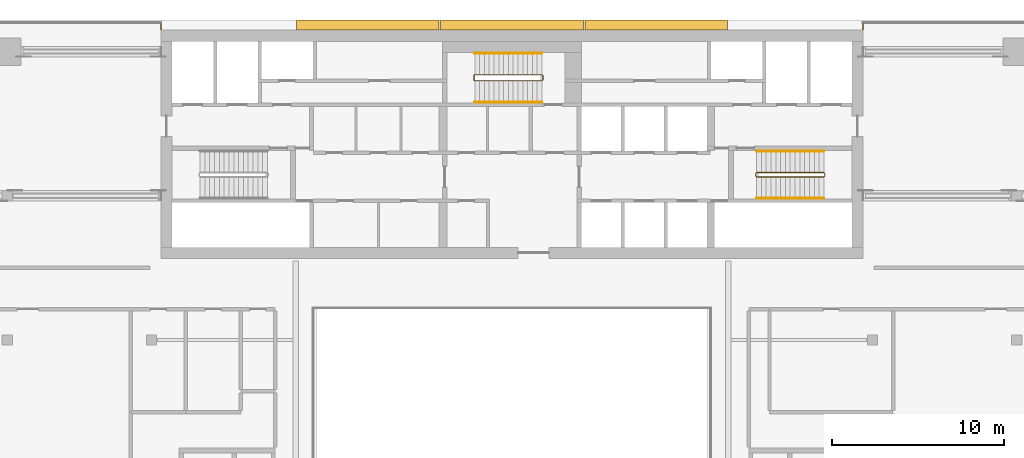
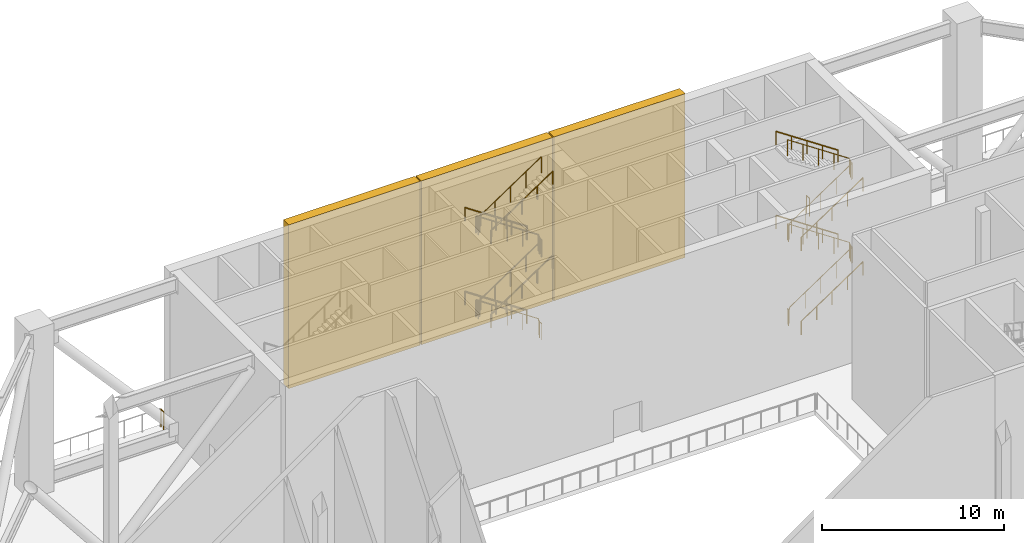
# One storey, part 18 of 19: 12 railings, 3 coverings.
"""IFC4 building model written with IfcOpenShell, lengths in metres."""

from ifc_helpers import new_model, si_unit, direction, frame, origin, origin_2d, place, context, subcontext, project, spatial, polyline, circle, outline, extrude, material, layer, layer_set, type_object, element, save


model = new_model("IFC4")

# Units and contexts
model_context = context("Model", 3, precision=1e-05, world=origin(), true_north=direction((0.0, 1.0)))
body_context = subcontext(model_context, "Body", "Model", "MODEL_VIEW")
ifc_project = project(units=[si_unit("LENGTHUNIT", "METRE"), si_unit("AREAUNIT", "SQUARE_METRE"), si_unit("VOLUMEUNIT", "CUBIC_METRE"), si_unit("PLANEANGLEUNIT", "RADIAN"), si_unit("MASSUNIT", "GRAM", prefix="KILO")], contexts=[model_context])

# Site, building, storey
site_placement = place(None, origin())
site = spatial("IfcSite", under=ifc_project, at=site_placement, CompositionType="ELEMENT")
building_placement = place(site_placement, origin())
building = spatial("IfcBuilding", under=site, at=building_placement, Name="Saffron Gate Tower", CompositionType="ELEMENT")
storey_placement = place(building_placement, frame((0.0, 0.0, 194.25)))
storey = spatial("IfcBuildingStorey", under=building, at=storey_placement, Name="L48", CompositionType="ELEMENT", Elevation=194.25)

# Railings
ifc_material_1 = material(Name="Stainless steel posts and toughened glass infill", Category="steel")
railing_type_1 = type_object("IfcRailingType", Name="BAL1 balustrade 1200", PredefinedType="BALUSTRADE", material=ifc_material_1)
for number, where, name in (
    (1, (67.14990234375, 75.39990234375, 0.0), "GUARD portal deck edge"),
    (2, (108.050048828125, 75.39990234375, 0.0), "GUARD portal deck edge"),
):
    element("IfcRailing", number, at=place(storey_placement, frame(where)), inside=storey, type_object=railing_type_1, Name=name, PredefinedType="BALUSTRADE", context=body_context, shape_type="SweptSolid", body=[
        extrude(circle(Radius=0.02392578125, at=origin_2d()), frame((0.0, 0.0, 1.17578125), z_axis=(0.0, -1.0, 0.0), x_axis=(1.0, 0.0, 0.0)), (0.0, 0.0, 1.0), 0.31982421875),
        extrude(circle(Radius=0.02099609375, at=origin_2d()), origin(), (0.0, 0.0, 1.0), 1.15185546875),
        extrude(circle(Radius=0.02099609375, at=origin_2d()), frame((0.0, -0.31982421875, 0.0)), (0.0, 0.0, 1.0), 1.15185546875),
    ])

# Coverings
ifc_material_2 = material(Name="Ceramic-printed bronze insulated panel")
ifc_layer = layer(ifc_material_2, 0.590087890625)
ifc_layer_set = layer_set([ifc_layer], Name="CLD4 ceramic-printed cladding panel 590")
covering_type = type_object("IfcCoveringType", Name="CLD4 ceramic-printed cladding panel 590", PredefinedType="CLADDING", material=ifc_layer_set)
covering_1_placement = place(storey_placement, origin())
element("IfcCovering", 3, at=covering_1_placement, inside=storey, type_object=covering_type, Name="CLADDING ceramic-printed panel", PredefinedType="CLADDING", context=body_context, shape_type="SweptSolid", body=[
    extrude(outline(polyline([(100.159912109375, 75.639892578125), (91.840087890625, 75.639892578125), (91.840087890625, 75.050048828125), (100.159912109375, 75.050048828125), (100.159912109375, 75.639892578125)])), origin(), (0.0, 0.0, 1.0), 10.969970703125),
])
covering_2_placement = place(storey_placement, origin())
element("IfcCovering", 4, at=covering_2_placement, inside=storey, type_object=covering_type, Name="CLADDING ceramic-printed panel", PredefinedType="CLADDING", context=body_context, shape_type="SweptSolid", body=[
    extrude(outline(polyline([(91.760009765625, 75.639892578125), (83.43994140625, 75.639892578125), (83.43994140625, 75.050048828125), (91.760009765625, 75.050048828125), (91.760009765625, 75.639892578125)])), origin(), (0.0, 0.0, 1.0), 10.969970703125),
])
covering_3_placement = place(storey_placement, origin())
element("IfcCovering", 5, at=covering_3_placement, inside=storey, type_object=covering_type, Name="CLADDING ceramic-printed panel", PredefinedType="CLADDING", context=body_context, shape_type="SweptSolid", body=[
    extrude(outline(polyline([(83.360107421875, 75.639892578125), (75.0400390625, 75.639892578125), (75.0400390625, 75.050048828125), (83.360107421875, 75.050048828125), (83.360107421875, 75.639892578125)])), origin(), (0.0, 0.0, 1.0), 10.969970703125),
])

# Railings
ifc_material_3 = material(Name="Stainless steel and laminated glass", Category="steel")
railing_type_2 = type_object("IfcRailingType", Name="CR1 Stair guard 1100", PredefinedType="GUARDRAIL", material=ifc_material_3)
railing_1_placement = place(storey_placement, frame((101.800048828125, 66.699951171875, 0.0)))
element("IfcRailing", 6, at=railing_1_placement, inside=storey, type_object=railing_type_2, Name="L48 ST-B stair guard 1", PredefinedType="GUARDRAIL", context=body_context, shape_type="SweptSolid", body=[
    extrude(circle(Radius=0.02392578125, at=origin_2d()), frame((0.0, 0.0, 1.076171875), z_axis=(0.0, -1.0, 0.0), x_axis=(1.0, 0.0, 0.0)), (0.0, 0.0, 1.0), 0.14990234375),
    extrude(circle(Radius=0.02392578125, at=origin_2d()), frame((0.0, -0.14990234375, 1.076171875), z_axis=(0.249726431254, -0.249726431254, 0.935560483917), x_axis=(0.707106781187, 0.707106781187, 0.0)), (0.0, 0.0, 1.0), 0.200439453125),
    extrude(circle(Radius=0.02392578125, at=origin_2d()), frame((0.050048828125, -0.199951171875, 1.263671875), z_axis=(0.830902050051, 0.0, 0.556418712142), x_axis=(0.0, 1.0, 0.0)), (0.0, 0.0, 1.0), 4.7177734375),
    extrude(circle(Radius=0.02392578125, at=origin_2d()), frame((3.969970703125, -0.199951171875, 3.888671875), z_axis=(0.707106781187, 0.707106781187, 0.0), x_axis=(-0.707106781187, 0.707106781187, 0.0)), (0.0, 0.0, 1.0), 0.07080078125),
    extrude(circle(Radius=0.02392578125, at=origin_2d()), frame((4.02001953125, -0.14990234375, 3.888671875), z_axis=(0.0, 1.0, 0.0), x_axis=(-1.0, 0.0, 0.0)), (0.0, 0.0, 1.0), 0.14990234375),
    extrude(circle(Radius=0.02392578125, at=origin_2d()), frame((4.02001953125, 0.0, 3.888671875), z_axis=(-0.249726431254, 0.249726431254, 0.935560483917), x_axis=(-0.707106781187, -0.707106781187, 0.0)), (0.0, 0.0, 1.0), 0.200439453125),
    extrude(circle(Radius=0.02392578125, at=origin_2d()), frame((3.969970703125, 0.050048828125, 4.076171875), z_axis=(-0.830902050051, 0.0, 0.556418712142), x_axis=(0.0, -1.0, 0.0)), (0.0, 0.0, 1.0), 4.7177734375),
    extrude(circle(Radius=0.02392578125, at=origin_2d()), frame((0.050048828125, 0.050048828125, 6.701171875), z_axis=(-0.707106781187, -0.707106781187, 0.0), x_axis=(0.707106781187, -0.707106781187, 0.0)), (0.0, 0.0, 1.0), 0.07080078125),
    extrude(circle(Radius=0.02392578125, at=origin_2d()), frame((0.0, 0.0, 6.701171875), z_axis=(0.0, -1.0, 0.0), x_axis=(1.0, 0.0, 0.0)), (0.0, 0.0, 1.0), 0.14990234375),
    extrude(circle(Radius=0.02392578125, at=origin_2d()), frame((0.0, -0.14990234375, 6.701171875), z_axis=(0.249726431254, -0.249726431254, 0.935560483917), x_axis=(0.707106781187, 0.707106781187, 0.0)), (0.0, 0.0, 1.0), 0.200439453125),
    extrude(circle(Radius=0.02392578125, at=origin_2d()), frame((0.050048828125, -0.199951171875, 6.888671875), z_axis=(0.830902050051, 0.0, 0.556418712142), x_axis=(0.0, 1.0, 0.0)), (0.0, 0.0, 1.0), 4.7177734375),
    extrude(circle(Radius=0.02392578125, at=origin_2d()), frame((3.969970703125, -0.199951171875, 9.513671875), z_axis=(0.707106781187, 0.707106781187, 0.0), x_axis=(-0.707106781187, 0.707106781187, 0.0)), (0.0, 0.0, 1.0), 0.07080078125),
    extrude(circle(Radius=0.02392578125, at=origin_2d()), frame((4.02001953125, -0.14990234375, 9.513671875), z_axis=(0.0, 1.0, 0.0), x_axis=(-1.0, 0.0, 0.0)), (0.0, 0.0, 1.0), 0.14990234375),
    extrude(circle(Radius=0.02392578125, at=origin_2d()), frame((4.02001953125, 0.0, 9.513671875), z_axis=(-0.249726431254, 0.249726431254, 0.935560483917), x_axis=(-0.707106781187, -0.707106781187, 0.0)), (0.0, 0.0, 1.0), 0.200439453125),
    extrude(circle(Radius=0.02392578125, at=origin_2d()), frame((3.969970703125, 0.050048828125, 9.701171875), z_axis=(-0.830902050051, 0.0, 0.556418712142), x_axis=(0.0, -1.0, 0.0)), (0.0, 0.0, 1.0), 4.7177734375),
    extrude(circle(Radius=0.02099609375, at=origin_2d()), origin(), (0.0, 0.0, 1.0), 1.052001953125),
    extrude(circle(Radius=0.02099609375, at=origin_2d()), frame((0.0, -0.14990234375, 0.0)), (0.0, 0.0, 1.0), 1.052001953125),
    extrude(circle(Radius=0.02099609375, at=origin_2d()), frame((0.050048828125, -0.199951171875, 0.1875)), (0.0, 0.0, 1.0), 1.052001953125),
    extrude(circle(Radius=0.02099609375, at=origin_2d()), frame((1.030029296875, -0.199951171875, 0.84375)), (0.0, 0.0, 1.0), 1.052001953125),
    extrude(circle(Radius=0.02099609375, at=origin_2d()), frame((2.010009765625, -0.199951171875, 1.5)), (0.0, 0.0, 1.0), 1.052001953125),
    extrude(circle(Radius=0.02099609375, at=origin_2d()), frame((2.989990234375, -0.199951171875, 2.15625)), (0.0, 0.0, 1.0), 1.052001953125),
    extrude(circle(Radius=0.02099609375, at=origin_2d()), frame((3.969970703125, -0.199951171875, 2.8125)), (0.0, 0.0, 1.0), 1.052001953125),
    extrude(circle(Radius=0.02099609375, at=origin_2d()), frame((4.02001953125, -0.14990234375, 2.8125)), (0.0, 0.0, 1.0), 1.052001953125),
    extrude(circle(Radius=0.02099609375, at=origin_2d()), frame((4.02001953125, 0.0, 2.8125)), (0.0, 0.0, 1.0), 1.052001953125),
    extrude(circle(Radius=0.02099609375, at=origin_2d()), frame((3.969970703125, 0.050048828125, 3.0)), (0.0, 0.0, 1.0), 1.052001953125),
    extrude(circle(Radius=0.02099609375, at=origin_2d()), frame((2.989990234375, 0.050048828125, 3.65625)), (0.0, 0.0, 1.0), 1.052001953125),
    extrude(circle(Radius=0.02099609375, at=origin_2d()), frame((2.010009765625, 0.050048828125, 4.3125)), (0.0, 0.0, 1.0), 1.052001953125),
    extrude(circle(Radius=0.02099609375, at=origin_2d()), frame((1.030029296875, 0.050048828125, 4.96875)), (0.0, 0.0, 1.0), 1.052001953125),
    extrude(circle(Radius=0.02099609375, at=origin_2d()), frame((0.050048828125, 0.050048828125, 5.625)), (0.0, 0.0, 1.0), 1.052001953125),
    extrude(circle(Radius=0.02099609375, at=origin_2d()), frame((0.0, 0.0, 5.625)), (0.0, 0.0, 1.0), 1.052001953125),
    extrude(circle(Radius=0.02099609375, at=origin_2d()), frame((0.0, -0.14990234375, 5.625)), (0.0, 0.0, 1.0), 1.052001953125),
    extrude(circle(Radius=0.02099609375, at=origin_2d()), frame((0.050048828125, -0.199951171875, 5.8125)), (0.0, 0.0, 1.0), 1.052001953125),
    extrude(circle(Radius=0.02099609375, at=origin_2d()), frame((1.030029296875, -0.199951171875, 6.46875)), (0.0, 0.0, 1.0), 1.052001953125),
    extrude(circle(Radius=0.02099609375, at=origin_2d()), frame((2.010009765625, -0.199951171875, 7.125)), (0.0, 0.0, 1.0), 1.052001953125),
    extrude(circle(Radius=0.02099609375, at=origin_2d()), frame((2.989990234375, -0.199951171875, 7.78125)), (0.0, 0.0, 1.0), 1.052001953125),
    extrude(circle(Radius=0.02099609375, at=origin_2d()), frame((3.969970703125, -0.199951171875, 8.4375)), (0.0, 0.0, 1.0), 1.052001953125),
    extrude(circle(Radius=0.02099609375, at=origin_2d()), frame((4.02001953125, -0.14990234375, 8.4375)), (0.0, 0.0, 1.0), 1.052001953125),
    extrude(circle(Radius=0.02099609375, at=origin_2d()), frame((4.02001953125, 0.0, 8.4375)), (0.0, 0.0, 1.0), 1.052001953125),
    extrude(circle(Radius=0.02099609375, at=origin_2d()), frame((3.969970703125, 0.050048828125, 8.625)), (0.0, 0.0, 1.0), 1.052001953125),
    extrude(circle(Radius=0.02099609375, at=origin_2d()), frame((2.989990234375, 0.050048828125, 9.28125)), (0.0, 0.0, 1.0), 1.052001953125),
    extrude(circle(Radius=0.02099609375, at=origin_2d()), frame((2.010009765625, 0.050048828125, 9.9375)), (0.0, 0.0, 1.0), 1.052001953125),
    extrude(circle(Radius=0.02099609375, at=origin_2d()), frame((1.030029296875, 0.050048828125, 10.59375)), (0.0, 0.0, 1.0), 1.052001953125),
    extrude(circle(Radius=0.02099609375, at=origin_2d()), frame((0.050048828125, 0.050048828125, 11.25)), (0.0, 0.0, 1.0), 1.052001953125),
])
railing_2_placement = place(storey_placement, frame((89.39990234375, 72.14990234375, 0.0)))
element("IfcRailing", 7, at=railing_2_placement, inside=storey, type_object=railing_type_2, Name="L48 ST-C stair guard 1", PredefinedType="GUARDRAIL", context=body_context, shape_type="SweptSolid", body=[
    extrude(circle(Radius=0.02392578125, at=origin_2d()), frame((0.0, 0.0, 1.076171875), z_axis=(0.0, 1.0, 0.0), x_axis=(-1.0, 0.0, 0.0)), (0.0, 0.0, 1.0), 0.25),
    extrude(circle(Radius=0.02392578125, at=origin_2d()), frame((0.0, 0.25, 1.076171875), z_axis=(-0.248583702486, 0.249802250048, 0.935844527007), x_axis=(-0.708833529934, -0.705375805398, 0.0)), (0.0, 0.0, 1.0), 0.200439453125),
    extrude(circle(Radius=0.02392578125, at=origin_2d()), frame((-0.0498046875, 0.300048828125, 1.263671875), z_axis=(-0.830918070988, 0.0, 0.556394787274), x_axis=(0.0, -1.0, 0.0)), (0.0, 0.0, 1.0), 4.7177734375),
    extrude(circle(Radius=0.02392578125, at=origin_2d()), frame((-3.969970703125, 0.300048828125, 3.888671875), z_axis=(-0.707106781187, -0.707106781187, 0.0), x_axis=(0.707106781187, -0.707106781187, 0.0)), (0.0, 0.0, 1.0), 0.07080078125),
    extrude(circle(Radius=0.02392578125, at=origin_2d()), frame((-4.02001953125, 0.25, 3.888671875), z_axis=(0.0, -1.0, 0.0), x_axis=(1.0, 0.0, 0.0)), (0.0, 0.0, 1.0), 0.25),
    extrude(circle(Radius=0.02392578125, at=origin_2d()), frame((-4.02001953125, 0.0, 3.888671875), z_axis=(0.249802250048, -0.248583702486, 0.935844527007), x_axis=(0.705375805398, 0.708833529934, 0.0)), (0.0, 0.0, 1.0), 0.200439453125),
    extrude(circle(Radius=0.02392578125, at=origin_2d()), frame((-3.969970703125, -0.0498046875, 4.076171875), z_axis=(0.830918070988, 0.0, 0.556394787274), x_axis=(0.0, 1.0, 0.0)), (0.0, 0.0, 1.0), 4.7177734375),
    extrude(circle(Radius=0.02392578125, at=origin_2d()), frame((-0.0498046875, -0.0498046875, 6.701171875), z_axis=(0.707106781187, 0.707106781187, 0.0), x_axis=(-0.707106781187, 0.707106781187, 0.0)), (0.0, 0.0, 1.0), 0.0703125),
    extrude(circle(Radius=0.02392578125, at=origin_2d()), frame((0.0, 0.0, 6.701171875), z_axis=(0.0, 1.0, 0.0), x_axis=(-1.0, 0.0, 0.0)), (0.0, 0.0, 1.0), 0.25),
    extrude(circle(Radius=0.02392578125, at=origin_2d()), frame((0.0, 0.25, 6.701171875), z_axis=(-0.248583702486, 0.249802250048, 0.935844527007), x_axis=(-0.708833529934, -0.705375805398, 0.0)), (0.0, 0.0, 1.0), 0.200439453125),
    extrude(circle(Radius=0.02392578125, at=origin_2d()), frame((-0.0498046875, 0.300048828125, 6.888671875), z_axis=(-0.830918070988, 0.0, 0.556394787274), x_axis=(0.0, -1.0, 0.0)), (0.0, 0.0, 1.0), 4.7177734375),
    extrude(circle(Radius=0.02392578125, at=origin_2d()), frame((-3.969970703125, 0.300048828125, 9.513671875), z_axis=(-0.707106781187, -0.707106781187, 0.0), x_axis=(0.707106781187, -0.707106781187, 0.0)), (0.0, 0.0, 1.0), 0.07080078125),
    extrude(circle(Radius=0.02392578125, at=origin_2d()), frame((-4.02001953125, 0.25, 9.513671875), z_axis=(0.0, -1.0, 0.0), x_axis=(1.0, 0.0, 0.0)), (0.0, 0.0, 1.0), 0.25),
    extrude(circle(Radius=0.02392578125, at=origin_2d()), frame((-4.02001953125, 0.0, 9.513671875), z_axis=(0.249802250048, -0.248583702486, 0.935844527007), x_axis=(0.705375805398, 0.708833529934, 0.0)), (0.0, 0.0, 1.0), 0.200439453125),
    extrude(circle(Radius=0.02392578125, at=origin_2d()), frame((-3.969970703125, -0.0498046875, 9.701171875), z_axis=(0.830918070988, 0.0, 0.556394787274), x_axis=(0.0, 1.0, 0.0)), (0.0, 0.0, 1.0), 4.7177734375),
    extrude(circle(Radius=0.02099609375, at=origin_2d()), origin(), (0.0, 0.0, 1.0), 1.052001953125),
    extrude(circle(Radius=0.02099609375, at=origin_2d()), frame((0.0, 0.25, 0.0)), (0.0, 0.0, 1.0), 1.052001953125),
    extrude(circle(Radius=0.02099609375, at=origin_2d()), frame((-0.0498046875, 0.300048828125, 0.1875)), (0.0, 0.0, 1.0), 1.052001953125),
    extrude(circle(Radius=0.02099609375, at=origin_2d()), frame((-1.02978515625, 0.300048828125, 0.84375)), (0.0, 0.0, 1.0), 1.052001953125),
    extrude(circle(Radius=0.02099609375, at=origin_2d()), frame((-2.009765625, 0.300048828125, 1.5)), (0.0, 0.0, 1.0), 1.052001953125),
    extrude(circle(Radius=0.02099609375, at=origin_2d()), frame((-2.989990234375, 0.300048828125, 2.15625)), (0.0, 0.0, 1.0), 1.052001953125),
    extrude(circle(Radius=0.02099609375, at=origin_2d()), frame((-3.969970703125, 0.300048828125, 2.8125)), (0.0, 0.0, 1.0), 1.052001953125),
    extrude(circle(Radius=0.02099609375, at=origin_2d()), frame((-4.02001953125, 0.25, 2.8125)), (0.0, 0.0, 1.0), 1.052001953125),
    extrude(circle(Radius=0.02099609375, at=origin_2d()), frame((-4.02001953125, 0.0, 2.8125)), (0.0, 0.0, 1.0), 1.052001953125),
    extrude(circle(Radius=0.02099609375, at=origin_2d()), frame((-3.969970703125, -0.0498046875, 3.0)), (0.0, 0.0, 1.0), 1.052001953125),
    extrude(circle(Radius=0.02099609375, at=origin_2d()), frame((-2.989990234375, -0.0498046875, 3.65625)), (0.0, 0.0, 1.0), 1.052001953125),
    extrude(circle(Radius=0.02099609375, at=origin_2d()), frame((-2.009765625, -0.0498046875, 4.3125)), (0.0, 0.0, 1.0), 1.052001953125),
    extrude(circle(Radius=0.02099609375, at=origin_2d()), frame((-1.02978515625, -0.0498046875, 4.96875)), (0.0, 0.0, 1.0), 1.052001953125),
    extrude(circle(Radius=0.02099609375, at=origin_2d()), frame((-0.0498046875, -0.0498046875, 5.625)), (0.0, 0.0, 1.0), 1.052001953125),
    extrude(circle(Radius=0.02099609375, at=origin_2d()), frame((0.0, 0.0, 5.625)), (0.0, 0.0, 1.0), 1.052001953125),
    extrude(circle(Radius=0.02099609375, at=origin_2d()), frame((0.0, 0.25, 5.625)), (0.0, 0.0, 1.0), 1.052001953125),
    extrude(circle(Radius=0.02099609375, at=origin_2d()), frame((-0.0498046875, 0.300048828125, 5.8125)), (0.0, 0.0, 1.0), 1.052001953125),
    extrude(circle(Radius=0.02099609375, at=origin_2d()), frame((-1.02978515625, 0.300048828125, 6.46875)), (0.0, 0.0, 1.0), 1.052001953125),
    extrude(circle(Radius=0.02099609375, at=origin_2d()), frame((-2.009765625, 0.300048828125, 7.125)), (0.0, 0.0, 1.0), 1.052001953125),
    extrude(circle(Radius=0.02099609375, at=origin_2d()), frame((-2.989990234375, 0.300048828125, 7.78125)), (0.0, 0.0, 1.0), 1.052001953125),
    extrude(circle(Radius=0.02099609375, at=origin_2d()), frame((-3.969970703125, 0.300048828125, 8.4375)), (0.0, 0.0, 1.0), 1.052001953125),
    extrude(circle(Radius=0.02099609375, at=origin_2d()), frame((-4.02001953125, 0.25, 8.4375)), (0.0, 0.0, 1.0), 1.052001953125),
    extrude(circle(Radius=0.02099609375, at=origin_2d()), frame((-4.02001953125, 0.0, 8.4375)), (0.0, 0.0, 1.0), 1.052001953125),
    extrude(circle(Radius=0.02099609375, at=origin_2d()), frame((-3.969970703125, -0.0498046875, 8.625)), (0.0, 0.0, 1.0), 1.052001953125),
    extrude(circle(Radius=0.02099609375, at=origin_2d()), frame((-2.989990234375, -0.0498046875, 9.28125)), (0.0, 0.0, 1.0), 1.052001953125),
    extrude(circle(Radius=0.02099609375, at=origin_2d()), frame((-2.009765625, -0.0498046875, 9.9375)), (0.0, 0.0, 1.0), 1.052001953125),
    extrude(circle(Radius=0.02099609375, at=origin_2d()), frame((-1.02978515625, -0.0498046875, 10.59375)), (0.0, 0.0, 1.0), 1.052001953125),
    extrude(circle(Radius=0.02099609375, at=origin_2d()), frame((-0.0498046875, -0.0498046875, 11.25)), (0.0, 0.0, 1.0), 1.052001953125),
])
ifc_material_4 = material(Name="Stainless steel", Category="steel")
railing_type_3 = type_object("IfcRailingType", Name="CR2 Stair handrail 900", PredefinedType="HANDRAIL", material=ifc_material_4)
railing_3_placement = place(storey_placement, frame((101.85009765625, 65.25, 0.1875)))
element("IfcRailing", 8, at=railing_3_placement, inside=storey, type_object=railing_type_3, Name="L48 ST-B stair handrail 1", PredefinedType="HANDRAIL", context=body_context, shape_type="SweptSolid", body=[
    extrude(circle(Radius=0.02392578125, at=origin_2d()), frame((0.0, 0.0, 0.8759765625), z_axis=(0.830902050051, 0.0, 0.556418712142), x_axis=(0.0, 1.0, 0.0)), (0.0, 0.0, 1.0), 4.7177734375),
    extrude(circle(Radius=0.02099609375, at=origin_2d()), origin(), (0.0, 0.0, 1.0), 0.851806640625),
    extrude(circle(Radius=0.02099609375, at=origin_2d()), frame((0.97998046875, 0.0, 0.65625)), (0.0, 0.0, 1.0), 0.851806640625),
    extrude(circle(Radius=0.02099609375, at=origin_2d()), frame((1.9599609375, 0.0, 1.3125)), (0.0, 0.0, 1.0), 0.851806640625),
    extrude(circle(Radius=0.02099609375, at=origin_2d()), frame((2.93994140625, 0.0, 1.96875)), (0.0, 0.0, 1.0), 0.851806640625),
    extrude(circle(Radius=0.02099609375, at=origin_2d()), frame((3.919921875, 0.0, 2.625)), (0.0, 0.0, 1.0), 0.851806640625),
])
railing_4_placement = place(storey_placement, frame((105.77001953125, 68.0, 3.0)))
element("IfcRailing", 9, at=railing_4_placement, inside=storey, type_object=railing_type_3, Name="L48 ST-B stair handrail 2", PredefinedType="HANDRAIL", context=body_context, shape_type="SweptSolid", body=[
    extrude(circle(Radius=0.02392578125, at=origin_2d()), frame((0.0, 0.0, 0.8759765625), z_axis=(-0.830902050051, 0.0, 0.556418712142), x_axis=(0.0, -1.0, 0.0)), (0.0, 0.0, 1.0), 4.7177734375),
    extrude(circle(Radius=0.02099609375, at=origin_2d()), origin(), (0.0, 0.0, 1.0), 0.851806640625),
    extrude(circle(Radius=0.02099609375, at=origin_2d()), frame((-0.97998046875, 0.0, 0.65625)), (0.0, 0.0, 1.0), 0.851806640625),
    extrude(circle(Radius=0.02099609375, at=origin_2d()), frame((-1.9599609375, 0.0, 1.3125)), (0.0, 0.0, 1.0), 0.851806640625),
    extrude(circle(Radius=0.02099609375, at=origin_2d()), frame((-2.93994140625, 0.0, 1.96875)), (0.0, 0.0, 1.0), 0.851806640625),
    extrude(circle(Radius=0.02099609375, at=origin_2d()), frame((-3.919921875, 0.0, 2.625)), (0.0, 0.0, 1.0), 0.851806640625),
])
railing_5_placement = place(storey_placement, frame((101.85009765625, 65.25, 5.8125)))
element("IfcRailing", 10, at=railing_5_placement, inside=storey, type_object=railing_type_3, Name="L48 ST-B stair handrail 3", PredefinedType="HANDRAIL", context=body_context, shape_type="SweptSolid", body=[
    extrude(circle(Radius=0.02392578125, at=origin_2d()), frame((0.0, 0.0, 0.8759765625), z_axis=(0.830902050051, 0.0, 0.556418712142), x_axis=(0.0, 1.0, 0.0)), (0.0, 0.0, 1.0), 4.7177734375),
    extrude(circle(Radius=0.02099609375, at=origin_2d()), origin(), (0.0, 0.0, 1.0), 0.851806640625),
    extrude(circle(Radius=0.02099609375, at=origin_2d()), frame((0.97998046875, 0.0, 0.65625)), (0.0, 0.0, 1.0), 0.851806640625),
    extrude(circle(Radius=0.02099609375, at=origin_2d()), frame((1.9599609375, 0.0, 1.3125)), (0.0, 0.0, 1.0), 0.851806640625),
    extrude(circle(Radius=0.02099609375, at=origin_2d()), frame((2.93994140625, 0.0, 1.96875)), (0.0, 0.0, 1.0), 0.851806640625),
    extrude(circle(Radius=0.02099609375, at=origin_2d()), frame((3.919921875, 0.0, 2.625)), (0.0, 0.0, 1.0), 0.851806640625),
])
railing_6_placement = place(storey_placement, frame((105.77001953125, 68.0, 8.625)))
element("IfcRailing", 11, at=railing_6_placement, inside=storey, type_object=railing_type_3, Name="L48 ST-B stair handrail 4", PredefinedType="HANDRAIL", context=body_context, shape_type="SweptSolid", body=[
    extrude(circle(Radius=0.02392578125, at=origin_2d()), frame((0.0, 0.0, 0.8759765625), z_axis=(-0.830902050051, 0.0, 0.556418712142), x_axis=(0.0, -1.0, 0.0)), (0.0, 0.0, 1.0), 4.7177734375),
    extrude(circle(Radius=0.02099609375, at=origin_2d()), origin(), (0.0, 0.0, 1.0), 0.851806640625),
    extrude(circle(Radius=0.02099609375, at=origin_2d()), frame((-0.97998046875, 0.0, 0.65625)), (0.0, 0.0, 1.0), 0.851806640625),
    extrude(circle(Radius=0.02099609375, at=origin_2d()), frame((-1.9599609375, 0.0, 1.3125)), (0.0, 0.0, 1.0), 0.851806640625),
    extrude(circle(Radius=0.02099609375, at=origin_2d()), frame((-2.93994140625, 0.0, 1.96875)), (0.0, 0.0, 1.0), 0.851806640625),
    extrude(circle(Radius=0.02099609375, at=origin_2d()), frame((-3.919921875, 0.0, 2.625)), (0.0, 0.0, 1.0), 0.851806640625),
])
railing_7_placement = place(storey_placement, frame((89.35009765625, 73.699951171875, 0.1875)))
element("IfcRailing", 12, at=railing_7_placement, inside=storey, type_object=railing_type_3, Name="L48 ST-C stair handrail 1", PredefinedType="HANDRAIL", context=body_context, shape_type="SweptSolid", body=[
    extrude(circle(Radius=0.02392578125, at=origin_2d()), frame((0.0, 0.0, 0.8759765625), z_axis=(-0.830918070988, 0.0, 0.556394787274), x_axis=(0.0, -1.0, 0.0)), (0.0, 0.0, 1.0), 4.7177734375),
    extrude(circle(Radius=0.02099609375, at=origin_2d()), origin(), (0.0, 0.0, 1.0), 0.851806640625),
    extrude(circle(Radius=0.02099609375, at=origin_2d()), frame((-0.97998046875, 0.0, 0.65625)), (0.0, 0.0, 1.0), 0.851806640625),
    extrude(circle(Radius=0.02099609375, at=origin_2d()), frame((-1.9599609375, 0.0, 1.3125)), (0.0, 0.0, 1.0), 0.851806640625),
    extrude(circle(Radius=0.02099609375, at=origin_2d()), frame((-2.940185546875, 0.0, 1.96875)), (0.0, 0.0, 1.0), 0.851806640625),
    extrude(circle(Radius=0.02099609375, at=origin_2d()), frame((-3.920166015625, 0.0, 2.625)), (0.0, 0.0, 1.0), 0.851806640625),
])
railing_8_placement = place(storey_placement, frame((85.429931640625, 70.85009765625, 3.0)))
element("IfcRailing", 13, at=railing_8_placement, inside=storey, type_object=railing_type_3, Name="L48 ST-C stair handrail 2", PredefinedType="HANDRAIL", context=body_context, shape_type="SweptSolid", body=[
    extrude(circle(Radius=0.02392578125, at=origin_2d()), frame((0.0, 0.0, 0.8759765625), z_axis=(0.830918070988, 0.0, 0.556394787274), x_axis=(0.0, 1.0, 0.0)), (0.0, 0.0, 1.0), 4.7177734375),
    extrude(circle(Radius=0.02099609375, at=origin_2d()), origin(), (0.0, 0.0, 1.0), 0.851806640625),
    extrude(circle(Radius=0.02099609375, at=origin_2d()), frame((0.97998046875, 0.0, 0.65625)), (0.0, 0.0, 1.0), 0.851806640625),
    extrude(circle(Radius=0.02099609375, at=origin_2d()), frame((1.9599609375, 0.0, 1.3125)), (0.0, 0.0, 1.0), 0.851806640625),
    extrude(circle(Radius=0.02099609375, at=origin_2d()), frame((2.940185546875, 0.0, 1.96875)), (0.0, 0.0, 1.0), 0.851806640625),
    extrude(circle(Radius=0.02099609375, at=origin_2d()), frame((3.920166015625, 0.0, 2.625)), (0.0, 0.0, 1.0), 0.851806640625),
])
railing_9_placement = place(storey_placement, frame((89.35009765625, 73.699951171875, 5.8125)))
element("IfcRailing", 14, at=railing_9_placement, inside=storey, type_object=railing_type_3, Name="L48 ST-C stair handrail 3", PredefinedType="HANDRAIL", context=body_context, shape_type="SweptSolid", body=[
    extrude(circle(Radius=0.02392578125, at=origin_2d()), frame((0.0, 0.0, 0.8759765625), z_axis=(-0.830918070988, 0.0, 0.556394787274), x_axis=(0.0, -1.0, 0.0)), (0.0, 0.0, 1.0), 4.7177734375),
    extrude(circle(Radius=0.02099609375, at=origin_2d()), origin(), (0.0, 0.0, 1.0), 0.851806640625),
    extrude(circle(Radius=0.02099609375, at=origin_2d()), frame((-0.97998046875, 0.0, 0.65625)), (0.0, 0.0, 1.0), 0.851806640625),
    extrude(circle(Radius=0.02099609375, at=origin_2d()), frame((-1.9599609375, 0.0, 1.3125)), (0.0, 0.0, 1.0), 0.851806640625),
    extrude(circle(Radius=0.02099609375, at=origin_2d()), frame((-2.940185546875, 0.0, 1.96875)), (0.0, 0.0, 1.0), 0.851806640625),
    extrude(circle(Radius=0.02099609375, at=origin_2d()), frame((-3.920166015625, 0.0, 2.625)), (0.0, 0.0, 1.0), 0.851806640625),
])
railing_10_placement = place(storey_placement, frame((85.429931640625, 70.85009765625, 8.625)))
element("IfcRailing", 15, at=railing_10_placement, inside=storey, type_object=railing_type_3, Name="L48 ST-C stair handrail 4", PredefinedType="HANDRAIL", context=body_context, shape_type="SweptSolid", body=[
    extrude(circle(Radius=0.02392578125, at=origin_2d()), frame((0.0, 0.0, 0.8759765625), z_axis=(0.830918070988, 0.0, 0.556394787274), x_axis=(0.0, 1.0, 0.0)), (0.0, 0.0, 1.0), 4.7177734375),
    extrude(circle(Radius=0.02099609375, at=origin_2d()), origin(), (0.0, 0.0, 1.0), 0.851806640625),
    extrude(circle(Radius=0.02099609375, at=origin_2d()), frame((0.97998046875, 0.0, 0.65625)), (0.0, 0.0, 1.0), 0.851806640625),
    extrude(circle(Radius=0.02099609375, at=origin_2d()), frame((1.9599609375, 0.0, 1.3125)), (0.0, 0.0, 1.0), 0.851806640625),
    extrude(circle(Radius=0.02099609375, at=origin_2d()), frame((2.940185546875, 0.0, 1.96875)), (0.0, 0.0, 1.0), 0.851806640625),
    extrude(circle(Radius=0.02099609375, at=origin_2d()), frame((3.920166015625, 0.0, 2.625)), (0.0, 0.0, 1.0), 0.851806640625),
])

save(model, "model.ifc")
